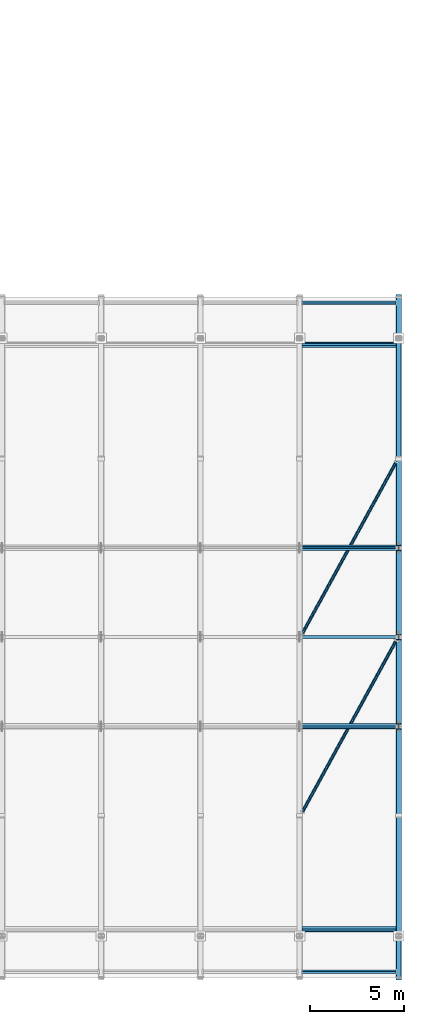
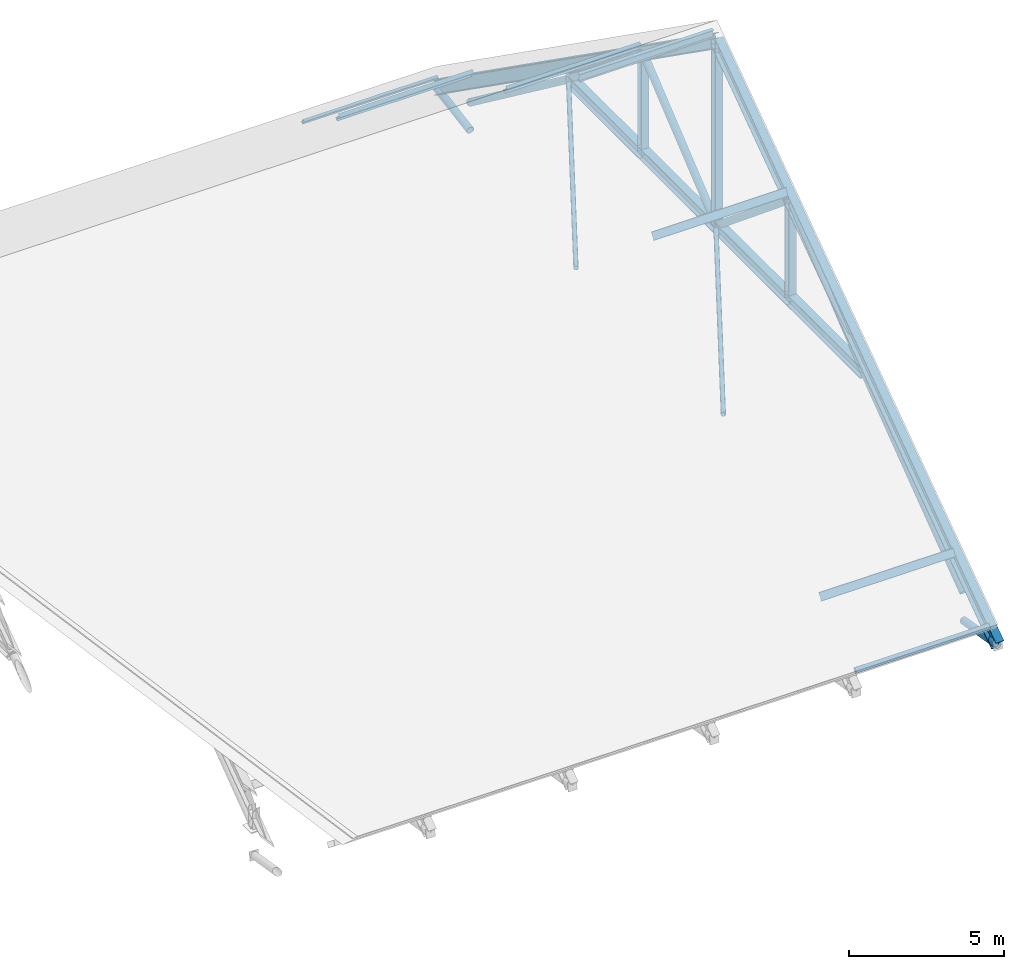
# One storey, part 19 of 57: 24 members, 2 beams.
"""IFC4 building model written with IfcOpenShell, lengths in metres."""

from ifc_helpers import new_model, si_unit, direction, frame, origin, origin_2d, place, context, subcontext, project, spatial, hollow_rectangle, hollow_circle, i_section, extrude, material, material_profile, profile_set, type_object, element, save


model = new_model("IFC4")

# Units and contexts
model_context = context("Model", 3, precision=1e-05, world=origin(), true_north=direction((0.0, 1.0)))
body_context = subcontext(model_context, "Body", "Model", "MODEL_VIEW")
ifc_project = project(units=[si_unit("LENGTHUNIT", "METRE"), si_unit("AREAUNIT", "SQUARE_METRE"), si_unit("VOLUMEUNIT", "CUBIC_METRE"), si_unit("PLANEANGLEUNIT", "RADIAN"), si_unit("MASSUNIT", "GRAM", prefix="KILO")], contexts=[model_context])

# Site, building, storey
site_placement = place(None, origin())
site = spatial("IfcSite", under=ifc_project, at=site_placement, CompositionType="ELEMENT")
building_placement = place(site_placement, origin())
building = spatial("IfcBuilding", under=site, at=building_placement, Name="Kelarvand Opera House", CompositionType="ELEMENT")
storey_placement = place(building_placement, frame((0.0, 0.0, 33.60009765625)))
storey = spatial("IfcBuildingStorey", under=building, at=storey_placement, Name="Roof", CompositionType="ELEMENT", Elevation=33.60009765625)

# Members
ifc_material = material(Name="Steel S355", Category="steel")
ifc_material_profile_1 = material_profile(ifc_material, hollow_circle(Radius=0.084228515625, WallThickness=0.008056640625, at=origin_2d()), Name="CHS 168.3x8.0", Category="steel")
ifc_profile_set_1 = profile_set([ifc_material_profile_1], Name="Steel S355")
member_type_1 = type_object("IfcMemberType", Name="Structural Brace CHS 168.3x8.0 BR-CHS168", PredefinedType="BRACE", material=ifc_profile_set_1)
for number, where, z_axis, x_axis, name in (
    (1, (136.669921875, 53.199951171875, -4.800048828125), (0.480061991754, 0.877234566164, 0.0), (-0.877234566164, 0.480061991754, 0.0), "V1 Roof Wind Brace 10.1"),
    (2, (136.669921875, 62.699951171875, -4.800048828125), (0.480061991754, 0.877234566164, 0.0), (-0.877234566164, 0.480061991754, 0.0), "V1 Roof Wind Brace 10.2"),
):
    element("IfcMember", number, at=place(storey_placement, frame(where, z_axis=z_axis, x_axis=x_axis)), inside=storey, type_object=member_type_1, Name=name, PredefinedType="BRACE", context=body_context, shape_type="SweptSolid", body=[
        extrude(hollow_circle(Radius=0.084228515625, WallThickness=0.008056640625, at=origin_2d()), origin(), (0.0, 0.0, 1.0), 10.37353515625),
    ])
ifc_material_profile_2 = material_profile(ifc_material, hollow_circle(Radius=0.136474609375, WallThickness=0.012451171875, at=origin_2d()), Name="CHS 273.0x12.5", Category="steel")
ifc_profile_set_2 = profile_set([ifc_material_profile_2], Name="Steel S355")
member_type_2 = type_object("IfcMemberType", Name="Structural Brace CHS 273.0x12.5 BR-CHS273", PredefinedType="BRACE", material=ifc_profile_set_2)
for number, where, z_axis, x_axis, name in (
    (3, (141.800048828125, 46.60009765625, -10.7001953125), (0.0, -0.986305042144, 0.164931391313), (1.0, 0.0, 0.0), "V1 Roof Truss 11 Eave Knee Brace S"),
    (4, (141.800048828125, 78.39990234375, -10.7001953125), (0.0, 0.986305042144, 0.164931391313), (-1.0, 0.0, 0.0), "V1 Roof Truss 11 Eave Knee Brace N"),
):
    element("IfcMember", number, at=place(storey_placement, frame(where, z_axis=z_axis, x_axis=x_axis)), inside=storey, type_object=member_type_2, Name=name, PredefinedType="BRACE", context=body_context, shape_type="SweptSolid", body=[
        extrude(hollow_circle(Radius=0.136474609375, WallThickness=0.012451171875, at=origin_2d()), origin(), (0.0, 0.0, 1.0), 2.230712890625),
    ])
for number, where, z_axis, x_axis, name in (
    (5, (141.800048828125, 46.60009765625, -9.60009765625), (0.0, 0.799992675677, 0.60000976564), (-1.0, 0.0, 0.0), "V1 Roof Truss 11 Support Tie S"),
    (6, (141.800048828125, 78.39990234375, -9.60009765625), (0.0, -0.799992675677, 0.60000976564), (1.0, 0.0, 0.0), "V1 Roof Truss 11 Support Tie N"),
):
    element("IfcMember", number, at=place(storey_placement, frame(where, z_axis=z_axis, x_axis=x_axis)), inside=storey, type_object=member_type_2, Name=name, PredefinedType="BRACE", context=body_context, shape_type="SweptSolid", body=[
        extrude(hollow_circle(Radius=0.136474609375, WallThickness=0.012451171875, at=origin_2d()), origin(), (0.0, 0.0, 1.0), 8.0),
    ])
for number, where, z_axis, x_axis, name in (
    (7, (141.800048828125, 53.0, -4.800048828125), (0.0, 0.772175345454, 0.635409502504), (-1.0, 0.0, 0.0), "V1 Roof Truss 11 Web Diagonal 1"),
    (8, (141.800048828125, 57.75, -0.891357421875), (0.0, 0.772175345454, -0.635409502504), (-1.0, 0.0, 0.0), "V1 Roof Truss 11 Web Diagonal 2"),
    (9, (141.800048828125, 62.5, -4.800048828125), (0.0, 0.772175345454, 0.635409502504), (-1.0, 0.0, 0.0), "V1 Roof Truss 11 Web Diagonal 3"),
    (10, (141.800048828125, 67.25, -0.891357421875), (0.0, 0.772175345454, -0.635409502504), (-1.0, 0.0, 0.0), "V1 Roof Truss 11 Web Diagonal 4"),
):
    element("IfcMember", number, at=place(storey_placement, frame(where, z_axis=z_axis, x_axis=x_axis)), inside=storey, type_object=member_type_2, Name=name, PredefinedType="BRACE", context=body_context, shape_type="SweptSolid", body=[
        extrude(hollow_circle(Radius=0.136474609375, WallThickness=0.012451171875, at=origin_2d()), origin(), (0.0, 0.0, 1.0), 6.1513671875),
    ])
ifc_material_profile_3 = material_profile(ifc_material, i_section(OverallWidth=0.300048828125, OverallDepth=0.449951171875, WebThickness=0.013916015625, FlangeThickness=0.02587890625, at=origin_2d()), Name="HEB 450", Category="steel")
ifc_profile_set_3 = profile_set([ifc_material_profile_3], Name="Steel S355")
member_type_3 = type_object("IfcMemberType", Name="Structural Chord HEB 450 CH-HEB450", PredefinedType="CHORD", material=ifc_profile_set_3)
for number, where, z_axis, x_axis, name in (
    (11, (141.800048828125, 53.0, -4.800048828125), (0.0, 1.0, 0.0), (-1.0, 0.0, 0.0), "V1 Roof Truss 11 Bottom Chord 1"),
    (12, (141.800048828125, 57.75, -4.800048828125), (0.0, 1.0, 0.0), (-1.0, 0.0, 0.0), "V1 Roof Truss 11 Bottom Chord 2"),
    (13, (141.800048828125, 62.5, -4.800048828125), (0.0, 1.0, 0.0), (-1.0, 0.0, 0.0), "V1 Roof Truss 11 Bottom Chord 3"),
    (14, (141.800048828125, 67.25, -4.800048828125), (0.0, 1.0, 0.0), (-1.0, 0.0, 0.0), "V1 Roof Truss 11 Bottom Chord 4"),
):
    element("IfcMember", number, at=place(storey_placement, frame(where, z_axis=z_axis, x_axis=x_axis)), inside=storey, type_object=member_type_3, Name=name, PredefinedType="CHORD", context=body_context, shape_type="SweptSolid", body=[
        extrude(i_section(OverallWidth=0.300048828125, OverallDepth=0.449951171875, WebThickness=0.013916015625, FlangeThickness=0.02587890625, at=origin_2d()), origin(), (0.0, 0.0, 1.0), 4.75),
    ])
ifc_material_profile_4 = material_profile(ifc_material, i_section(OverallWidth=0.280029296875, OverallDepth=0.280029296875, WebThickness=0.010498046875, FlangeThickness=0.01806640625, at=origin_2d()), Name="HEB 280", Category="steel")
ifc_profile_set_4 = profile_set([ifc_material_profile_4], Name="Steel S355")
member_type_4 = type_object("IfcMemberType", Name="Structural Post HEB 280 PS-HEB280", PredefinedType="POST", material=ifc_profile_set_4)
member_1_placement = place(storey_placement, frame((141.800048828125, 57.75, -4.800048828125), z_axis=(0.0, 0.0, 1.0), x_axis=(1.0, 0.0, 0.0)))
element("IfcMember", 15, at=member_1_placement, inside=storey, type_object=member_type_4, Name="V1 Roof Truss 11 Post 1", PredefinedType="POST", context=body_context, shape_type="SweptSolid", body=[
    extrude(i_section(OverallWidth=0.280029296875, OverallDepth=0.280029296875, WebThickness=0.010498046875, FlangeThickness=0.01806640625, at=origin_2d()), origin(), (0.0, 0.0, 1.0), 3.90869140625),
])
member_2_placement = place(storey_placement, frame((141.800048828125, 62.5, -4.800048828125), z_axis=(0.0, 0.0, 1.0), x_axis=(1.0, 0.0, 0.0)))
element("IfcMember", 16, at=member_2_placement, inside=storey, type_object=member_type_4, Name="V1 Roof Truss 11 Post 2", PredefinedType="POST", context=body_context, shape_type="SweptSolid", body=[
    extrude(i_section(OverallWidth=0.280029296875, OverallDepth=0.280029296875, WebThickness=0.010498046875, FlangeThickness=0.01806640625, at=origin_2d()), origin(), (0.0, 0.0, 1.0), 7.267822265625),
])
member_3_placement = place(storey_placement, frame((141.800048828125, 67.25, -4.800048828125), z_axis=(0.0, 0.0, 1.0), x_axis=(1.0, 0.0, 0.0)))
element("IfcMember", 17, at=member_3_placement, inside=storey, type_object=member_type_4, Name="V1 Roof Truss 11 Post 3", PredefinedType="POST", context=body_context, shape_type="SweptSolid", body=[
    extrude(i_section(OverallWidth=0.280029296875, OverallDepth=0.280029296875, WebThickness=0.010498046875, FlangeThickness=0.01806640625, at=origin_2d()), origin(), (0.0, 0.0, 1.0), 3.90869140625),
])
ifc_material_profile_5 = material_profile(ifc_material, i_section(OverallWidth=0.14990234375, OverallDepth=0.300048828125, WebThickness=0.007080078125, FlangeThickness=0.0107421875, at=origin_2d()), Name="IPE 300", Category="steel")
ifc_profile_set_5 = profile_set([ifc_material_profile_5], Name="Steel S355")
member_type_5 = type_object("IfcMemberType", Name="Structural Purlin IPE 300 PR-IPE300", PredefinedType="PURLIN", material=ifc_profile_set_5)
for number, where, z_axis, x_axis, name in (
    (18, (136.659912109375, 46.949951171875, -8.18603515625), (1.0, 0.0, 0.0), (0.0, 0.816440043737, -0.577430216549), "V1 Roof Purlin 10.2"),
    (19, (136.659912109375, 57.75, -0.548583984375), (1.0, 0.0, 0.0), (0.0, 0.816440043737, -0.577430216549), "V1 Roof Purlin 10.3"),
    (20, (136.659912109375, 62.5, 2.826416015625), (1.0, 0.0, 0.0), (0.0, 1.0, 0.0), "V1 Roof Purlin 10.4"),
    (21, (136.659912109375, 67.25, -0.548583984375), (1.0, 0.0, 0.0), (0.0, 0.816440043737, 0.577430216549), "V1 Roof Purlin 10.5"),
    (22, (136.659912109375, 78.050048828125, -8.18603515625), (1.0, 0.0, 0.0), (0.0, 0.816440043737, 0.577430216549), "V1 Roof Purlin 10.6"),
):
    element("IfcMember", number, at=place(storey_placement, frame(where, z_axis=z_axis, x_axis=x_axis)), inside=storey, type_object=member_type_5, Name=name, PredefinedType="PURLIN", context=body_context, shape_type="SweptSolid", body=[
        extrude(i_section(OverallWidth=0.14990234375, OverallDepth=0.300048828125, WebThickness=0.007080078125, FlangeThickness=0.0107421875, at=origin_2d()), origin(), (0.0, 0.0, 1.0), 5.0),
    ])
ifc_material_profile_6 = material_profile(ifc_material, hollow_rectangle(XDim=0.10009765625, YDim=0.199951171875, WallThickness=0.008056640625, at=origin_2d()), Name="RHS 200x100x8.0", Category="steel")
ifc_profile_set_6 = profile_set([ifc_material_profile_6], Name="Steel S355")
member_type_6 = type_object("IfcMemberType", Name="Structural Purlin RHS 200x100x8.0 PR-RHS200E", PredefinedType="PURLIN", material=ifc_profile_set_6)
for number, where, z_axis, x_axis, name in (
    (23, (136.659912109375, 44.699951171875, -9.721923828125), (1.0, 0.0, 0.0), (0.0, 0.816440043737, -0.577430216549), "V1 Roof Purlin 10.1"),
    (24, (136.659912109375, 80.300048828125, -9.721923828125), (1.0, 0.0, 0.0), (0.0, 0.816440043737, 0.577430216549), "V1 Roof Purlin 10.7"),
):
    element("IfcMember", number, at=place(storey_placement, frame(where, z_axis=z_axis, x_axis=x_axis)), inside=storey, type_object=member_type_6, Name=name, PredefinedType="PURLIN", context=body_context, shape_type="SweptSolid", body=[
        extrude(hollow_rectangle(XDim=0.10009765625, YDim=0.199951171875, WallThickness=0.008056640625, at=origin_2d()), origin(), (0.0, 0.0, 1.0), 5.0),
    ])

# Beams
ifc_material_profile_7 = material_profile(ifc_material, i_section(OverallWidth=0.300048828125, OverallDepth=0.5, WebThickness=0.014404296875, FlangeThickness=0.028076171875, at=origin_2d()), Name="HEB 500", Category="steel")
ifc_profile_set_7 = profile_set([ifc_material_profile_7], Name="Steel S355")
beam_type = type_object("IfcBeamType", Name="Structural Roof Truss HEB 500 RT-HEB500", PredefinedType="USERDEFINED", material=ifc_profile_set_7)
for number, where, z_axis, x_axis, name in (
    (25, (141.800048828125, 44.39990234375, -10.332275390625), (0.0, 0.816467936104, 0.577390776956), (-1.0, 0.0, 0.0), "V1 Roof Truss 11 Top Chord Rafter 1"),
    (26, (141.800048828125, 62.5, 2.4677734375), (0.0, 0.816467936104, -0.577390776956), (-1.0, 0.0, 0.0), "V1 Roof Truss 11 Top Chord Rafter 2"),
):
    element("IfcBeam", number, at=place(storey_placement, frame(where, z_axis=z_axis, x_axis=x_axis)), inside=storey, type_object=beam_type, Name=name, ObjectType="ROOF TRUSS", PredefinedType="USERDEFINED", context=body_context, shape_type="SweptSolid", body=[
        extrude(i_section(OverallWidth=0.300048828125, OverallDepth=0.5, WebThickness=0.014404296875, FlangeThickness=0.028076171875, at=origin_2d()), origin(), (0.0, 0.0, 1.0), 22.168701171875),
    ])

save(model, "model.ifc")
